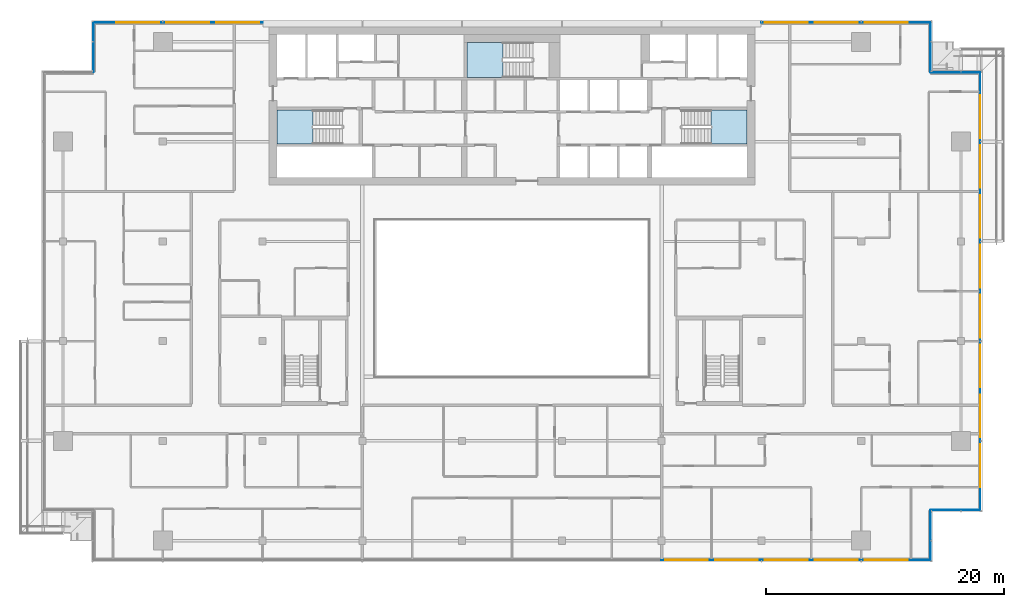
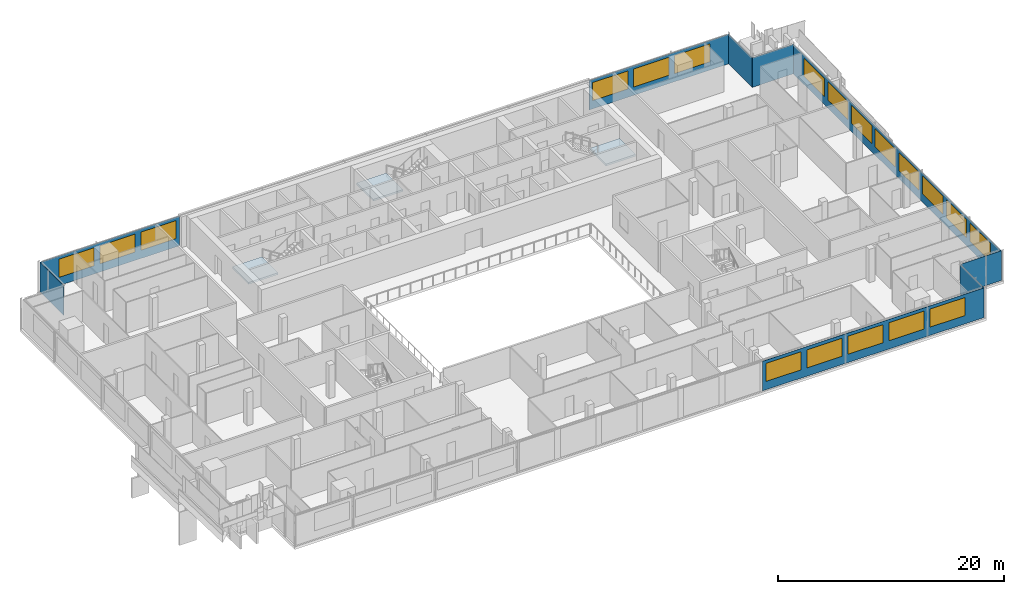
# One storey, part 15 of 30: 19 windows, 9 plates, 3 slabs, 19 openings, 11 elements without a shape of their own.
"""IFC4 building model written with IfcOpenShell, lengths in metres."""

from ifc_helpers import new_model, si_unit, direction, frame, frame_2d, origin, place, context, subcontext, project, spatial, polyline, rectangle, outline, extrude, material, layer, layer_set, type_object, element, fill, aggregate, save


model = new_model("IFC4")

# Units and contexts
model_context = context("Model", 3, precision=1e-05, world=origin(), true_north=direction((0.0, 1.0)))
body_context = subcontext(model_context, "Body", "Model", "MODEL_VIEW")
ifc_project = project(units=[si_unit("LENGTHUNIT", "METRE"), si_unit("AREAUNIT", "SQUARE_METRE"), si_unit("VOLUMEUNIT", "CUBIC_METRE"), si_unit("PLANEANGLEUNIT", "RADIAN"), si_unit("MASSUNIT", "GRAM", prefix="KILO")], contexts=[model_context])

# Site, building, storey
site_placement = place(None, origin())
site = spatial("IfcSite", under=ifc_project, at=site_placement, CompositionType="ELEMENT")
building_placement = place(site_placement, origin())
building = spatial("IfcBuilding", under=site, at=building_placement, Name="Saffron Gate Tower", CompositionType="ELEMENT")
storey_placement = place(building_placement, frame((0.0, 0.0, 245.10009765625)))
storey = spatial("IfcBuildingStorey", under=building, at=storey_placement, Name="L60", CompositionType="ELEMENT", Elevation=245.10009765625)

# Curtain wall, plate, openings, windows
ifc_material_1 = material(Name="Aluminium, bronze anodised", Category="aluminium")
curtain_wall_type_1 = type_object("IfcCurtainWallType", Name="CWS1 curtain wall front facade", PredefinedType="NOTDEFINED", material=ifc_material_1)
curtain_wall_1_placement = place(storey_placement, origin())
curtain_wall_1 = element("IfcCurtainWall", 1, at=curtain_wall_1_placement, inside=storey, type_object=curtain_wall_type_1, Name="CWS1 run 1", PredefinedType="NOTDEFINED")
ifc_material_2 = material(Name="Fritted bronze-tinted laminated glass", Category="glass")
ifc_layer_1 = layer(ifc_material_2, 0.028076171875)
ifc_layer_set_1 = layer_set([ifc_layer_1], Name="CWS1 fixed glass")
plate_type_1 = type_object("IfcPlateType", Name="CWS1 fixed glass", PredefinedType="CURTAIN_PANEL", material=ifc_layer_set_1)
plate_1_placement = place(storey_placement, frame((100.169921875, 30.174072265625, 0.0), z_axis=(0.0, 0.0, 1.0), x_axis=(1.0, 0.0, 0.0)))
plate_1 = element("IfcPlate", 2, at=plate_1_placement, type_object=plate_type_1, Name="CWS1 glass panel", PredefinedType="CURTAIN_PANEL", context=body_context, shape_type="SweptSolid", body=[
    extrude(rectangle(XDim=22.64208984375, YDim=0.028076171875, at=frame_2d((11.321044921875, 0.0))), origin(), (0.0, 0.0, 1.0), 3.199951171875),
])
opening_1_placement = place(plate_1_placement, frame((0.330078125, 0.0, 0.89990234375)))
opening_1 = element("IfcOpeningElement", 3, at=opening_1_placement, cuts=plate_1, Name="Opening W1", PredefinedType="OPENING", context=body_context, shape_type="SweptSolid", body=[
    extrude(rectangle(XDim=3.60009765625, YDim=1.949951171875, at=frame_2d((1.800048828125, 0.97509765625))), frame((0.0, 0.02392578125, 0.0), z_axis=(0.0, -1.0, 0.0), x_axis=(1.0, 0.0, 0.0)), (0.0, 0.0, 1.0), 0.048095703125),
])
opening_2_placement = place(plate_1_placement, frame((4.530029296875, 0.0, 0.89990234375)))
opening_2 = element("IfcOpeningElement", 4, at=opening_2_placement, cuts=plate_1, Name="Opening W1", PredefinedType="OPENING", context=body_context, shape_type="SweptSolid", body=[
    extrude(rectangle(XDim=3.60009765625, YDim=1.949951171875, at=frame_2d((1.800048828125, 0.97509765625))), frame((0.0, 0.02392578125, 0.0), z_axis=(0.0, -1.0, 0.0), x_axis=(1.0, 0.0, 0.0)), (0.0, 0.0, 1.0), 0.048095703125),
])
opening_3_placement = place(plate_1_placement, frame((8.72998046875, 0.0, 0.89990234375)))
opening_3 = element("IfcOpeningElement", 5, at=opening_3_placement, cuts=plate_1, Name="Opening W1", PredefinedType="OPENING", context=body_context, shape_type="SweptSolid", body=[
    extrude(rectangle(XDim=3.60009765625, YDim=1.949951171875, at=frame_2d((1.800048828125, 0.97509765625))), frame((0.0, 0.02392578125, 0.0), z_axis=(0.0, -1.0, 0.0), x_axis=(1.0, 0.0, 0.0)), (0.0, 0.0, 1.0), 0.048095703125),
])
opening_4_placement = place(plate_1_placement, frame((12.929931640625, 0.0, 0.89990234375)))
opening_4 = element("IfcOpeningElement", 6, at=opening_4_placement, cuts=plate_1, Name="Opening W1", PredefinedType="OPENING", context=body_context, shape_type="SweptSolid", body=[
    extrude(rectangle(XDim=3.60009765625, YDim=1.949951171875, at=frame_2d((1.800048828125, 0.97509765625))), frame((0.0, 0.02392578125, 0.0), z_axis=(0.0, -1.0, 0.0), x_axis=(1.0, 0.0, 0.0)), (0.0, 0.0, 1.0), 0.048095703125),
])
opening_5_placement = place(plate_1_placement, frame((17.1298828125, 0.0, 0.89990234375)))
opening_5 = element("IfcOpeningElement", 7, at=opening_5_placement, cuts=plate_1, Name="Opening W1", PredefinedType="OPENING", context=body_context, shape_type="SweptSolid", body=[
    extrude(rectangle(XDim=3.60009765625, YDim=1.949951171875, at=frame_2d((1.800048828125, 0.97509765625))), frame((0.0, 0.02392578125, 0.0), z_axis=(0.0, -1.0, 0.0), x_axis=(1.0, 0.0, 0.0)), (0.0, 0.0, 1.0), 0.048095703125),
])
ifc_material_3 = material(Name="Fritted bronze-tinted laminated glass in bronze frame", Category="glass")
ifc_layer_2 = layer(ifc_material_3, 0.06005859375)
ifc_layer_set_2 = layer_set([ifc_layer_2], Name="W1 operable panel 3600x1950")
window_type = type_object("IfcWindowType", Name="W1 operable panel 3600x1950", PartitioningType="DOUBLE_PANEL_HORIZONTAL", PredefinedType="WINDOW", material=ifc_layer_set_2)
window_1_placement = place(opening_1_placement, origin())
window_1 = element("IfcWindow", 8, at=window_1_placement, type_object=window_type, Name="W1 operable panel", OverallHeight=1.949951171875, OverallWidth=3.60009765625, PartitioningType="SINGLE_PANEL", PredefinedType="WINDOW", context=body_context, shape_type="SweptSolid", body=[
    extrude(rectangle(XDim=3.60009765625, YDim=1.949951171875, at=frame_2d((1.800048828125, 0.97509765625))), frame((0.0, 0.013671875, 0.0), z_axis=(0.0, -1.0, 0.0), x_axis=(1.0, 0.0, 0.0)), (0.0, 0.0, 1.0), 0.027587890625),
])
fill(opening_1, window_1)
window_2_placement = place(opening_2_placement, origin())
window_2 = element("IfcWindow", 9, at=window_2_placement, type_object=window_type, Name="W1 operable panel", OverallHeight=1.949951171875, OverallWidth=3.60009765625, PartitioningType="SINGLE_PANEL", PredefinedType="WINDOW", context=body_context, shape_type="SweptSolid", body=[
    extrude(rectangle(XDim=3.60009765625, YDim=1.949951171875, at=frame_2d((1.800048828125, 0.97509765625))), frame((0.0, 0.013671875, 0.0), z_axis=(0.0, -1.0, 0.0), x_axis=(1.0, 0.0, 0.0)), (0.0, 0.0, 1.0), 0.027587890625),
])
fill(opening_2, window_2)
window_3_placement = place(opening_3_placement, origin())
window_3 = element("IfcWindow", 10, at=window_3_placement, type_object=window_type, Name="W1 operable panel", OverallHeight=1.949951171875, OverallWidth=3.60009765625, PartitioningType="SINGLE_PANEL", PredefinedType="WINDOW", context=body_context, shape_type="SweptSolid", body=[
    extrude(rectangle(XDim=3.60009765625, YDim=1.949951171875, at=frame_2d((1.800048828125, 0.97509765625))), frame((0.0, 0.013671875, 0.0), z_axis=(0.0, -1.0, 0.0), x_axis=(1.0, 0.0, 0.0)), (0.0, 0.0, 1.0), 0.027587890625),
])
fill(opening_3, window_3)
window_4_placement = place(opening_4_placement, origin())
window_4 = element("IfcWindow", 11, at=window_4_placement, type_object=window_type, Name="W1 operable panel", OverallHeight=1.949951171875, OverallWidth=3.60009765625, PartitioningType="SINGLE_PANEL", PredefinedType="WINDOW", context=body_context, shape_type="SweptSolid", body=[
    extrude(rectangle(XDim=3.60009765625, YDim=1.949951171875, at=frame_2d((1.800048828125, 0.97509765625))), frame((0.0, 0.013671875, 0.0), z_axis=(0.0, -1.0, 0.0), x_axis=(1.0, 0.0, 0.0)), (0.0, 0.0, 1.0), 0.027587890625),
])
fill(opening_4, window_4)
window_5_placement = place(opening_5_placement, origin())
window_5 = element("IfcWindow", 12, at=window_5_placement, type_object=window_type, Name="W1 operable panel", OverallHeight=1.949951171875, OverallWidth=3.60009765625, PartitioningType="SINGLE_PANEL", PredefinedType="WINDOW", context=body_context, shape_type="SweptSolid", body=[
    extrude(rectangle(XDim=3.60009765625, YDim=1.949951171875, at=frame_2d((1.800048828125, 0.97509765625))), frame((0.0, 0.013671875, 0.0), z_axis=(0.0, -1.0, 0.0), x_axis=(1.0, 0.0, 0.0)), (0.0, 0.0, 1.0), 0.027587890625),
])
fill(opening_5, window_5)
aggregate(curtain_wall_1, [plate_1, window_1, window_2, window_3, window_4, window_5])

curtain_wall_type_2 = type_object("IfcCurtainWallType", Name="CWS2 curtain wall side facades", PredefinedType="NOTDEFINED", material=ifc_material_1)
curtain_wall_2_placement = place(storey_placement, origin())
curtain_wall_2 = element("IfcCurtainWall", 13, at=curtain_wall_2_placement, inside=storey, type_object=curtain_wall_type_2, Name="CWS2 run 4", PredefinedType="NOTDEFINED")
ifc_layer_3 = layer(ifc_material_2, 0.028076171875)
ifc_layer_set_3 = layer_set([ifc_layer_3], Name="CWS2 fixed glass")
plate_type_2 = type_object("IfcPlateType", Name="CWS2 fixed glass", PredefinedType="CURTAIN_PANEL", material=ifc_layer_set_3)
plate_2_placement = place(storey_placement, frame((127.02587890625, 34.387939453125, 0.0), z_axis=(0.0, 0.0, 1.0), x_axis=(0.0, 1.0, 0.0)))
plate_2 = element("IfcPlate", 14, at=plate_2_placement, type_object=plate_type_2, Name="CWS2 glass panel", PredefinedType="CURTAIN_PANEL", context=body_context, shape_type="SweptSolid", body=[
    extrude(rectangle(XDim=36.823974609375, YDim=0.028076171875, at=frame_2d((18.412109375, 0.0))), origin(), (0.0, 0.0, 1.0), 3.199951171875),
])
opening_6_placement = place(plate_2_placement, frame((1.912109375, 0.0, 0.89990234375)))
opening_6 = element("IfcOpeningElement", 15, at=opening_6_placement, cuts=plate_2, Name="Opening W1", PredefinedType="OPENING", context=body_context, shape_type="SweptSolid", body=[
    extrude(rectangle(XDim=3.60009765625, YDim=1.949951171875, at=frame_2d((1.800048828125, 0.97509765625))), frame((0.0, 0.02392578125, 0.0), z_axis=(0.0, -1.0, 0.0), x_axis=(1.0, 0.0, 0.0)), (0.0, 0.0, 1.0), 0.048095703125),
])
opening_7_placement = place(plate_2_placement, frame((6.112060546875, 0.0, 0.89990234375)))
opening_7 = element("IfcOpeningElement", 16, at=opening_7_placement, cuts=plate_2, Name="Opening W1", PredefinedType="OPENING", context=body_context, shape_type="SweptSolid", body=[
    extrude(rectangle(XDim=3.60009765625, YDim=1.949951171875, at=frame_2d((1.800048828125, 0.97509765625))), frame((0.0, 0.02392578125, 0.0), z_axis=(0.0, -1.0, 0.0), x_axis=(1.0, 0.0, 0.0)), (0.0, 0.0, 1.0), 0.048095703125),
])
opening_8_placement = place(plate_2_placement, frame((10.31201171875, 0.0, 0.89990234375)))
opening_8 = element("IfcOpeningElement", 17, at=opening_8_placement, cuts=plate_2, Name="Opening W1", PredefinedType="OPENING", context=body_context, shape_type="SweptSolid", body=[
    extrude(rectangle(XDim=3.60009765625, YDim=1.949951171875, at=frame_2d((1.800048828125, 0.97509765625))), frame((0.0, 0.02392578125, 0.0), z_axis=(0.0, -1.0, 0.0), x_axis=(1.0, 0.0, 0.0)), (0.0, 0.0, 1.0), 0.048095703125),
])
opening_9_placement = place(plate_2_placement, frame((14.511962890625, 0.0, 0.89990234375)))
opening_9 = element("IfcOpeningElement", 18, at=opening_9_placement, cuts=plate_2, Name="Opening W1", PredefinedType="OPENING", context=body_context, shape_type="SweptSolid", body=[
    extrude(rectangle(XDim=3.60009765625, YDim=1.949951171875, at=frame_2d((1.800048828125, 0.97509765625))), frame((0.0, 0.02392578125, 0.0), z_axis=(0.0, -1.0, 0.0), x_axis=(1.0, 0.0, 0.0)), (0.0, 0.0, 1.0), 0.048095703125),
])
opening_10_placement = place(plate_2_placement, frame((18.7119140625, 0.0, 0.89990234375)))
opening_10 = element("IfcOpeningElement", 19, at=opening_10_placement, cuts=plate_2, Name="Opening W1", PredefinedType="OPENING", context=body_context, shape_type="SweptSolid", body=[
    extrude(rectangle(XDim=3.60009765625, YDim=1.949951171875, at=frame_2d((1.800048828125, 0.97509765625))), frame((0.0, 0.02392578125, 0.0), z_axis=(0.0, -1.0, 0.0), x_axis=(1.0, 0.0, 0.0)), (0.0, 0.0, 1.0), 0.048095703125),
])
opening_11_placement = place(plate_2_placement, frame((22.912109375, 0.0, 0.89990234375)))
opening_11 = element("IfcOpeningElement", 20, at=opening_11_placement, cuts=plate_2, Name="Opening W1", PredefinedType="OPENING", context=body_context, shape_type="SweptSolid", body=[
    extrude(rectangle(XDim=3.60009765625, YDim=1.949951171875, at=frame_2d((1.800048828125, 0.97509765625))), frame((0.0, 0.02392578125, 0.0), z_axis=(0.0, -1.0, 0.0), x_axis=(1.0, 0.0, 0.0)), (0.0, 0.0, 1.0), 0.048095703125),
])
opening_12_placement = place(plate_2_placement, frame((27.112060546875, 0.0, 0.89990234375)))
opening_12 = element("IfcOpeningElement", 21, at=opening_12_placement, cuts=plate_2, Name="Opening W1", PredefinedType="OPENING", context=body_context, shape_type="SweptSolid", body=[
    extrude(rectangle(XDim=3.60009765625, YDim=1.949951171875, at=frame_2d((1.800048828125, 0.97509765625))), frame((0.0, 0.02392578125, 0.0), z_axis=(0.0, -1.0, 0.0), x_axis=(1.0, 0.0, 0.0)), (0.0, 0.0, 1.0), 0.048095703125),
])
opening_13_placement = place(plate_2_placement, frame((31.31201171875, 0.0, 0.89990234375)))
opening_13 = element("IfcOpeningElement", 22, at=opening_13_placement, cuts=plate_2, Name="Opening W1", PredefinedType="OPENING", context=body_context, shape_type="SweptSolid", body=[
    extrude(rectangle(XDim=3.60009765625, YDim=1.949951171875, at=frame_2d((1.800048828125, 0.97509765625))), frame((0.0, 0.02392578125, 0.0), z_axis=(0.0, -1.0, 0.0), x_axis=(1.0, 0.0, 0.0)), (0.0, 0.0, 1.0), 0.048095703125),
])
window_6_placement = place(opening_6_placement, origin())
window_6 = element("IfcWindow", 23, at=window_6_placement, type_object=window_type, Name="W1 operable panel", OverallHeight=1.949951171875, OverallWidth=3.60009765625, PartitioningType="SINGLE_PANEL", PredefinedType="WINDOW", context=body_context, shape_type="SweptSolid", body=[
    extrude(rectangle(XDim=3.60009765625, YDim=1.949951171875, at=frame_2d((1.800048828125, 0.97509765625))), frame((0.0, 0.013671875, 0.0), z_axis=(0.0, -1.0, 0.0), x_axis=(1.0, 0.0, 0.0)), (0.0, 0.0, 1.0), 0.027587890625),
])
fill(opening_6, window_6)
window_7_placement = place(opening_7_placement, origin())
window_7 = element("IfcWindow", 24, at=window_7_placement, type_object=window_type, Name="W1 operable panel", OverallHeight=1.949951171875, OverallWidth=3.60009765625, PartitioningType="SINGLE_PANEL", PredefinedType="WINDOW", context=body_context, shape_type="SweptSolid", body=[
    extrude(rectangle(XDim=3.60009765625, YDim=1.949951171875, at=frame_2d((1.800048828125, 0.97509765625))), frame((0.0, 0.013671875, 0.0), z_axis=(0.0, -1.0, 0.0), x_axis=(1.0, 0.0, 0.0)), (0.0, 0.0, 1.0), 0.027587890625),
])
fill(opening_7, window_7)
window_8_placement = place(opening_8_placement, origin())
window_8 = element("IfcWindow", 25, at=window_8_placement, type_object=window_type, Name="W1 operable panel", OverallHeight=1.949951171875, OverallWidth=3.60009765625, PartitioningType="SINGLE_PANEL", PredefinedType="WINDOW", context=body_context, shape_type="SweptSolid", body=[
    extrude(rectangle(XDim=3.60009765625, YDim=1.949951171875, at=frame_2d((1.800048828125, 0.97509765625))), frame((0.0, 0.013671875, 0.0), z_axis=(0.0, -1.0, 0.0), x_axis=(1.0, 0.0, 0.0)), (0.0, 0.0, 1.0), 0.027587890625),
])
fill(opening_8, window_8)
window_9_placement = place(opening_9_placement, origin())
window_9 = element("IfcWindow", 26, at=window_9_placement, type_object=window_type, Name="W1 operable panel", OverallHeight=1.949951171875, OverallWidth=3.60009765625, PartitioningType="SINGLE_PANEL", PredefinedType="WINDOW", context=body_context, shape_type="SweptSolid", body=[
    extrude(rectangle(XDim=3.60009765625, YDim=1.949951171875, at=frame_2d((1.800048828125, 0.97509765625))), frame((0.0, 0.013671875, 0.0), z_axis=(0.0, -1.0, 0.0), x_axis=(1.0, 0.0, 0.0)), (0.0, 0.0, 1.0), 0.027587890625),
])
fill(opening_9, window_9)
window_10_placement = place(opening_10_placement, origin())
window_10 = element("IfcWindow", 27, at=window_10_placement, type_object=window_type, Name="W1 operable panel", OverallHeight=1.949951171875, OverallWidth=3.60009765625, PartitioningType="SINGLE_PANEL", PredefinedType="WINDOW", context=body_context, shape_type="SweptSolid", body=[
    extrude(rectangle(XDim=3.60009765625, YDim=1.949951171875, at=frame_2d((1.800048828125, 0.97509765625))), frame((0.0, 0.013671875, 0.0), z_axis=(0.0, -1.0, 0.0), x_axis=(1.0, 0.0, 0.0)), (0.0, 0.0, 1.0), 0.027587890625),
])
fill(opening_10, window_10)
window_11_placement = place(opening_11_placement, origin())
window_11 = element("IfcWindow", 28, at=window_11_placement, type_object=window_type, Name="W1 operable panel", OverallHeight=1.949951171875, OverallWidth=3.60009765625, PartitioningType="SINGLE_PANEL", PredefinedType="WINDOW", context=body_context, shape_type="SweptSolid", body=[
    extrude(rectangle(XDim=3.60009765625, YDim=1.949951171875, at=frame_2d((1.800048828125, 0.97509765625))), frame((0.0, 0.013671875, 0.0), z_axis=(0.0, -1.0, 0.0), x_axis=(1.0, 0.0, 0.0)), (0.0, 0.0, 1.0), 0.027587890625),
])
fill(opening_11, window_11)
window_12_placement = place(opening_12_placement, origin())
window_12 = element("IfcWindow", 29, at=window_12_placement, type_object=window_type, Name="W1 operable panel", OverallHeight=1.949951171875, OverallWidth=3.60009765625, PartitioningType="SINGLE_PANEL", PredefinedType="WINDOW", context=body_context, shape_type="SweptSolid", body=[
    extrude(rectangle(XDim=3.60009765625, YDim=1.949951171875, at=frame_2d((1.800048828125, 0.97509765625))), frame((0.0, 0.013671875, 0.0), z_axis=(0.0, -1.0, 0.0), x_axis=(1.0, 0.0, 0.0)), (0.0, 0.0, 1.0), 0.027587890625),
])
fill(opening_12, window_12)
window_13_placement = place(opening_13_placement, origin())
window_13 = element("IfcWindow", 30, at=window_13_placement, type_object=window_type, Name="W1 operable panel", OverallHeight=1.949951171875, OverallWidth=3.60009765625, PartitioningType="SINGLE_PANEL", PredefinedType="WINDOW", context=body_context, shape_type="SweptSolid", body=[
    extrude(rectangle(XDim=3.60009765625, YDim=1.949951171875, at=frame_2d((1.800048828125, 0.97509765625))), frame((0.0, 0.013671875, 0.0), z_axis=(0.0, -1.0, 0.0), x_axis=(1.0, 0.0, 0.0)), (0.0, 0.0, 1.0), 0.027587890625),
])
fill(opening_13, window_13)
aggregate(curtain_wall_2, [plate_2, window_6, window_7, window_8, window_9, window_10, window_11, window_12, window_13])

# Curtain wall, plates, openings, windows
curtain_wall_type_3 = type_object("IfcCurtainWallType", Name="CWS3 curtain wall rear facade", PredefinedType="NOTDEFINED", material=ifc_material_1)
curtain_wall_3_placement = place(storey_placement, origin())
curtain_wall_3 = element("IfcCurtainWall", 31, at=curtain_wall_3_placement, inside=storey, type_object=curtain_wall_type_3, Name="CWS3 run 7", PredefinedType="NOTDEFINED")
ifc_material_4 = material(Name="Fritted grey-tinted laminated glass", Category="glass")
ifc_layer_4 = layer(ifc_material_4, 0.028076171875)
ifc_layer_set_4 = layer_set([ifc_layer_4], Name="CWS3 fixed glass")
plate_type_3 = type_object("IfcPlateType", Name="CWS3 fixed glass", PredefinedType="CURTAIN_PANEL", material=ifc_layer_set_4)
plate_3_placement = place(storey_placement, frame((122.81201171875, 75.426025390625, 0.0), z_axis=(0.0, 0.0, 1.0), x_axis=(-1.0, 0.0, 0.0)))
plate_3 = element("IfcPlate", 32, at=plate_3_placement, type_object=plate_type_3, Name="CWS3 glass panel", PredefinedType="CURTAIN_PANEL", context=body_context, shape_type="SweptSolid", body=[
    extrude(rectangle(XDim=14.2470703125, YDim=0.028076171875, at=frame_2d((7.12353515625, 0.0))), origin(), (0.0, 0.0, 1.0), 3.199951171875),
])
opening_14_placement = place(plate_3_placement, frame((1.912109375, 0.0, 0.89990234375)))
opening_14 = element("IfcOpeningElement", 33, at=opening_14_placement, cuts=plate_3, Name="Opening W1", PredefinedType="OPENING", context=body_context, shape_type="SweptSolid", body=[
    extrude(rectangle(XDim=3.60009765625, YDim=1.949951171875, at=frame_2d((1.800048828125, 0.97509765625))), frame((0.0, 0.02392578125, 0.0), z_axis=(0.0, -1.0, 0.0), x_axis=(1.0, 0.0, 0.0)), (0.0, 0.0, 1.0), 0.048095703125),
])
opening_15_placement = place(plate_3_placement, frame((6.112060546875, 0.0, 0.89990234375)))
opening_15 = element("IfcOpeningElement", 34, at=opening_15_placement, cuts=plate_3, Name="Opening W1", PredefinedType="OPENING", context=body_context, shape_type="SweptSolid", body=[
    extrude(rectangle(XDim=3.60009765625, YDim=1.949951171875, at=frame_2d((1.800048828125, 0.97509765625))), frame((0.0, 0.02392578125, 0.0), z_axis=(0.0, -1.0, 0.0), x_axis=(1.0, 0.0, 0.0)), (0.0, 0.0, 1.0), 0.048095703125),
])
opening_16_placement = place(plate_3_placement, frame((10.31201171875, 0.0, 0.89990234375)))
opening_16 = element("IfcOpeningElement", 35, at=opening_16_placement, cuts=plate_3, Name="Opening W1", PredefinedType="OPENING", context=body_context, shape_type="SweptSolid", body=[
    extrude(rectangle(XDim=3.60009765625, YDim=1.949951171875, at=frame_2d((1.800048828125, 0.97509765625))), frame((0.0, 0.02392578125, 0.0), z_axis=(0.0, -1.0, 0.0), x_axis=(1.0, 0.0, 0.0)), (0.0, 0.0, 1.0), 0.048095703125),
])
window_14_placement = place(opening_14_placement, origin())
window_14 = element("IfcWindow", 36, at=window_14_placement, type_object=window_type, Name="W1 operable panel", OverallHeight=1.949951171875, OverallWidth=3.60009765625, PartitioningType="SINGLE_PANEL", PredefinedType="WINDOW", context=body_context, shape_type="SweptSolid", body=[
    extrude(rectangle(XDim=3.60009765625, YDim=1.949951171875, at=frame_2d((1.800048828125, 0.97509765625))), frame((0.0, 0.013671875, 0.0), z_axis=(0.0, -1.0, 0.0), x_axis=(1.0, 0.0, 0.0)), (0.0, 0.0, 1.0), 0.027587890625),
])
fill(opening_14, window_14)
window_15_placement = place(opening_15_placement, origin())
window_15 = element("IfcWindow", 37, at=window_15_placement, type_object=window_type, Name="W1 operable panel", OverallHeight=1.949951171875, OverallWidth=3.60009765625, PartitioningType="SINGLE_PANEL", PredefinedType="WINDOW", context=body_context, shape_type="SweptSolid", body=[
    extrude(rectangle(XDim=3.60009765625, YDim=1.949951171875, at=frame_2d((1.800048828125, 0.97509765625))), frame((0.0, 0.013671875, 0.0), z_axis=(0.0, -1.0, 0.0), x_axis=(1.0, 0.0, 0.0)), (0.0, 0.0, 1.0), 0.027587890625),
])
fill(opening_15, window_15)
window_16_placement = place(opening_16_placement, origin())
window_16 = element("IfcWindow", 38, at=window_16_placement, type_object=window_type, Name="W1 operable panel", OverallHeight=1.949951171875, OverallWidth=3.60009765625, PartitioningType="SINGLE_PANEL", PredefinedType="WINDOW", context=body_context, shape_type="SweptSolid", body=[
    extrude(rectangle(XDim=3.60009765625, YDim=1.949951171875, at=frame_2d((1.800048828125, 0.97509765625))), frame((0.0, 0.013671875, 0.0), z_axis=(0.0, -1.0, 0.0), x_axis=(1.0, 0.0, 0.0)), (0.0, 0.0, 1.0), 0.027587890625),
])
fill(opening_16, window_16)
plate_4_placement = place(storey_placement, frame((66.635009765625, 75.426025390625, 0.0), z_axis=(0.0, 0.0, 1.0), x_axis=(-1.0, 0.0, 0.0)))
plate_4 = element("IfcPlate", 39, at=plate_4_placement, type_object=plate_type_3, Name="CWS3 glass panel", PredefinedType="CURTAIN_PANEL", context=body_context, shape_type="SweptSolid", body=[
    extrude(rectangle(XDim=14.2470703125, YDim=0.028076171875, at=frame_2d((7.12353515625, 0.0))), origin(), (0.0, 0.0, 1.0), 3.199951171875),
])
opening_17_placement = place(plate_4_placement, frame((0.3349609375, 0.0, 0.89990234375)))
opening_17 = element("IfcOpeningElement", 40, at=opening_17_placement, cuts=plate_4, Name="Opening W1", PredefinedType="OPENING", context=body_context, shape_type="SweptSolid", body=[
    extrude(rectangle(XDim=3.60009765625, YDim=1.949951171875, at=frame_2d((1.800048828125, 0.97509765625))), frame((0.0, 0.02392578125, 0.0), z_axis=(0.0, -1.0, 0.0), x_axis=(1.0, 0.0, 0.0)), (0.0, 0.0, 1.0), 0.048095703125),
])
opening_18_placement = place(plate_4_placement, frame((4.534912109375, 0.0, 0.89990234375)))
opening_18 = element("IfcOpeningElement", 41, at=opening_18_placement, cuts=plate_4, Name="Opening W1", PredefinedType="OPENING", context=body_context, shape_type="SweptSolid", body=[
    extrude(rectangle(XDim=3.60009765625, YDim=1.949951171875, at=frame_2d((1.800048828125, 0.97509765625))), frame((0.0, 0.02392578125, 0.0), z_axis=(0.0, -1.0, 0.0), x_axis=(1.0, 0.0, 0.0)), (0.0, 0.0, 1.0), 0.048095703125),
])
opening_19_placement = place(plate_4_placement, frame((8.735107421875, 0.0, 0.89990234375)))
opening_19 = element("IfcOpeningElement", 42, at=opening_19_placement, cuts=plate_4, Name="Opening W1", PredefinedType="OPENING", context=body_context, shape_type="SweptSolid", body=[
    extrude(rectangle(XDim=3.60009765625, YDim=1.949951171875, at=frame_2d((1.800048828125, 0.97509765625))), frame((0.0, 0.02392578125, 0.0), z_axis=(0.0, -1.0, 0.0), x_axis=(1.0, 0.0, 0.0)), (0.0, 0.0, 1.0), 0.048095703125),
])
window_17_placement = place(opening_17_placement, origin())
window_17 = element("IfcWindow", 43, at=window_17_placement, type_object=window_type, Name="W1 operable panel", OverallHeight=1.949951171875, OverallWidth=3.60009765625, PartitioningType="SINGLE_PANEL", PredefinedType="WINDOW", context=body_context, shape_type="SweptSolid", body=[
    extrude(rectangle(XDim=3.60009765625, YDim=1.949951171875, at=frame_2d((1.800048828125, 0.97509765625))), frame((0.0, 0.013671875, 0.0), z_axis=(0.0, -1.0, 0.0), x_axis=(1.0, 0.0, 0.0)), (0.0, 0.0, 1.0), 0.027587890625),
])
fill(opening_17, window_17)
window_18_placement = place(opening_18_placement, origin())
window_18 = element("IfcWindow", 44, at=window_18_placement, type_object=window_type, Name="W1 operable panel", OverallHeight=1.949951171875, OverallWidth=3.60009765625, PartitioningType="SINGLE_PANEL", PredefinedType="WINDOW", context=body_context, shape_type="SweptSolid", body=[
    extrude(rectangle(XDim=3.60009765625, YDim=1.949951171875, at=frame_2d((1.800048828125, 0.97509765625))), frame((0.0, 0.013671875, 0.0), z_axis=(0.0, -1.0, 0.0), x_axis=(1.0, 0.0, 0.0)), (0.0, 0.0, 1.0), 0.027587890625),
])
fill(opening_18, window_18)
window_19_placement = place(opening_19_placement, origin())
window_19 = element("IfcWindow", 45, at=window_19_placement, type_object=window_type, Name="W1 operable panel", OverallHeight=1.949951171875, OverallWidth=3.60009765625, PartitioningType="SINGLE_PANEL", PredefinedType="WINDOW", context=body_context, shape_type="SweptSolid", body=[
    extrude(rectangle(XDim=3.60009765625, YDim=1.949951171875, at=frame_2d((1.800048828125, 0.97509765625))), frame((0.0, 0.013671875, 0.0), z_axis=(0.0, -1.0, 0.0), x_axis=(1.0, 0.0, 0.0)), (0.0, 0.0, 1.0), 0.027587890625),
])
fill(opening_19, window_19)
aggregate(curtain_wall_3, [plate_3, plate_4, window_14, window_15, window_16, window_17, window_18, window_19])

# Curtain wall, plate
curtain_wall_type_4 = type_object("IfcCurtainWallType", Name="CWS4 curtain wall corner returns", PredefinedType="NOTDEFINED", material=ifc_material_1)
curtain_wall_4_placement = place(storey_placement, origin())
curtain_wall_4 = element("IfcCurtainWall", 46, at=curtain_wall_4_placement, inside=storey, type_object=curtain_wall_type_4, Name="CWS4 run 2", PredefinedType="NOTDEFINED")
ifc_layer_5 = layer(ifc_material_2, 0.028076171875)
ifc_layer_set_5 = layer_set([ifc_layer_5], Name="CWS4 fixed glass")
plate_type_4 = type_object("IfcPlateType", Name="CWS4 fixed glass", PredefinedType="CURTAIN_PANEL", material=ifc_layer_set_5)
plate_5_placement = place(storey_placement, frame((122.825927734375, 30.18798828125, 0.0), z_axis=(0.0, 0.0, 1.0), x_axis=(0.0, 1.0, 0.0)))
plate_5 = element("IfcPlate", 47, at=plate_5_placement, type_object=plate_type_4, Name="CWS4 glass panel", PredefinedType="CURTAIN_PANEL", context=body_context, shape_type="SweptSolid", body=[
    extrude(rectangle(XDim=4.172119140625, YDim=0.028076171875, at=frame_2d((2.0859375, 0.0))), origin(), (0.0, 0.0, 1.0), 3.199951171875),
])
aggregate(curtain_wall_4, [plate_5])

curtain_wall_5_placement = place(storey_placement, origin())
curtain_wall_5 = element("IfcCurtainWall", 48, at=curtain_wall_5_placement, inside=storey, type_object=curtain_wall_type_4, Name="CWS4 run 3", PredefinedType="NOTDEFINED")
plate_6_placement = place(storey_placement, frame((122.840087890625, 34.3740234375, 0.0), z_axis=(0.0, 0.0, 1.0), x_axis=(1.0, 0.0, 0.0)))
plate_6 = element("IfcPlate", 49, at=plate_6_placement, type_object=plate_type_4, Name="CWS4 glass panel", PredefinedType="CURTAIN_PANEL", context=body_context, shape_type="SweptSolid", body=[
    extrude(rectangle(XDim=4.171875, YDim=0.028076171875, at=frame_2d((2.0859375, 0.0))), origin(), (0.0, 0.0, 1.0), 3.199951171875),
])
aggregate(curtain_wall_5, [plate_6])

curtain_wall_6_placement = place(storey_placement, origin())
curtain_wall_6 = element("IfcCurtainWall", 50, at=curtain_wall_6_placement, inside=storey, type_object=curtain_wall_type_4, Name="CWS4 run 5", PredefinedType="NOTDEFINED")
plate_7_placement = place(storey_placement, frame((127.011962890625, 71.22607421875, 0.0), z_axis=(0.0, 0.0, 1.0), x_axis=(-1.0, 0.0, 0.0)))
plate_7 = element("IfcPlate", 51, at=plate_7_placement, type_object=plate_type_4, Name="CWS4 glass panel", PredefinedType="CURTAIN_PANEL", context=body_context, shape_type="SweptSolid", body=[
    extrude(rectangle(XDim=4.171875, YDim=0.028076171875, at=frame_2d((2.0859375, 0.0))), origin(), (0.0, 0.0, 1.0), 3.199951171875),
])
aggregate(curtain_wall_6, [plate_7])

curtain_wall_7_placement = place(storey_placement, origin())
curtain_wall_7 = element("IfcCurtainWall", 52, at=curtain_wall_7_placement, inside=storey, type_object=curtain_wall_type_4, Name="CWS4 run 6", PredefinedType="NOTDEFINED")
plate_8_placement = place(storey_placement, frame((122.825927734375, 71.239990234375, 0.0), z_axis=(0.0, 0.0, 1.0), x_axis=(0.0, 1.0, 0.0)))
plate_8 = element("IfcPlate", 53, at=plate_8_placement, type_object=plate_type_4, Name="CWS4 glass panel", PredefinedType="CURTAIN_PANEL", context=body_context, shape_type="SweptSolid", body=[
    extrude(rectangle(XDim=4.172119140625, YDim=0.028076171875, at=frame_2d((2.0859375, 0.0))), origin(), (0.0, 0.0, 1.0), 3.199951171875),
])
aggregate(curtain_wall_7, [plate_8])

curtain_wall_8_placement = place(storey_placement, origin())
curtain_wall_8 = element("IfcCurtainWall", 54, at=curtain_wall_8_placement, inside=storey, type_object=curtain_wall_type_4, Name="CWS4 run 8", PredefinedType="NOTDEFINED")
plate_9_placement = place(storey_placement, frame((52.3740234375, 75.412109375, 0.0), z_axis=(0.0, 0.0, 1.0), x_axis=(0.0, -1.0, 0.0)))
plate_9 = element("IfcPlate", 55, at=plate_9_placement, type_object=plate_type_4, Name="CWS4 glass panel", PredefinedType="CURTAIN_PANEL", context=body_context, shape_type="SweptSolid", body=[
    extrude(rectangle(XDim=4.172119140625, YDim=0.028076171875, at=frame_2d((2.0859375, 0.0))), origin(), (0.0, 0.0, 1.0), 3.199951171875),
])
aggregate(curtain_wall_8, [plate_9])

# Stair, slab
ifc_material_5 = material(Name="Concrete C40", Category="concrete")
stair_type = type_object("IfcStairType", Name="ST7 Stair 1350 wide, 20 risers of 180", PredefinedType="HALF_TURN_STAIR", material=ifc_material_5)
stair_1_placement = place(storey_placement, origin())
stair_1 = element("IfcStair", 56, at=stair_1_placement, inside=storey, type_object=stair_type, Name="L60 Exit stair A", PredefinedType="HALF_TURN_STAIR")
ifc_layer_6 = layer(ifc_material_5, 0.199951171875)
ifc_layer_set_6 = layer_set([ifc_layer_6], Name="SL1 Stair landing 200")
slab_type = type_object("IfcSlabType", Name="SL1 Stair landing 200", PredefinedType="LANDING", material=ifc_layer_set_6)
slab_1_placement = place(storey_placement, frame((0.0, 0.0, 1.599853515625)))
slab_1 = element("IfcSlab", 57, at=slab_1_placement, type_object=slab_type, Name="ST-A landing 1", PredefinedType="LANDING", context=body_context, shape_type="SweptSolid", body=[
    extrude(outline(polyline([(70.830078125, 68.050048828125), (67.800048828125, 68.050048828125), (67.800048828125, 65.199951171875), (70.830078125, 65.199951171875), (70.830078125, 68.050048828125)])), origin(), (0.0, 0.0, 1.0), 0.199951171875),
])
aggregate(stair_1, [slab_1])

stair_2_placement = place(storey_placement, origin())
stair_2 = element("IfcStair", 58, at=stair_2_placement, inside=storey, type_object=stair_type, Name="L60 Exit stair B", PredefinedType="HALF_TURN_STAIR")
slab_2_placement = place(storey_placement, frame((0.0, 0.0, 1.599853515625)))
slab_2 = element("IfcSlab", 59, at=slab_2_placement, type_object=slab_type, Name="ST-B landing 1", PredefinedType="LANDING", context=body_context, shape_type="SweptSolid", body=[
    extrude(outline(polyline([(104.3701171875, 65.199951171875), (107.39990234375, 65.199951171875), (107.39990234375, 68.050048828125), (104.3701171875, 68.050048828125), (104.3701171875, 65.199951171875)])), origin(), (0.0, 0.0, 1.0), 0.199951171875),
])
aggregate(stair_2, [slab_2])

stair_3_placement = place(storey_placement, origin())
stair_3 = element("IfcStair", 60, at=stair_3_placement, inside=storey, type_object=stair_type, Name="L60 Exit stair C", PredefinedType="HALF_TURN_STAIR")
slab_3_placement = place(storey_placement, frame((0.0, 0.0, 1.599853515625)))
slab_3 = element("IfcSlab", 61, at=slab_3_placement, type_object=slab_type, Name="ST-C landing 1", PredefinedType="LANDING", context=body_context, shape_type="SweptSolid", body=[
    extrude(outline(polyline([(86.830078125, 73.75), (83.800048828125, 73.75), (83.800048828125, 70.800048828125), (86.830078125, 70.800048828125), (86.830078125, 73.75)])), origin(), (0.0, 0.0, 1.0), 0.199951171875),
])
aggregate(stair_3, [slab_3])

save(model, "model.ifc")
